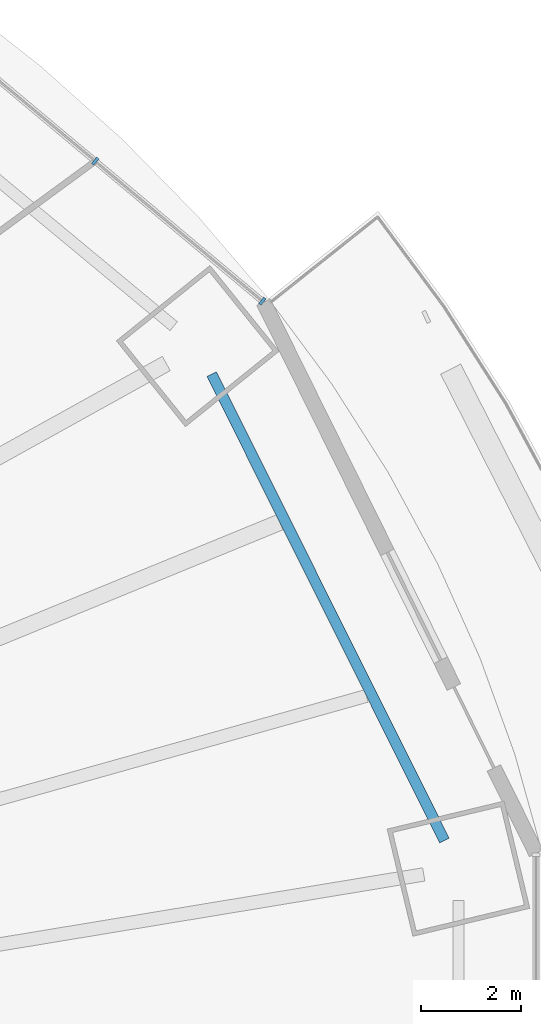
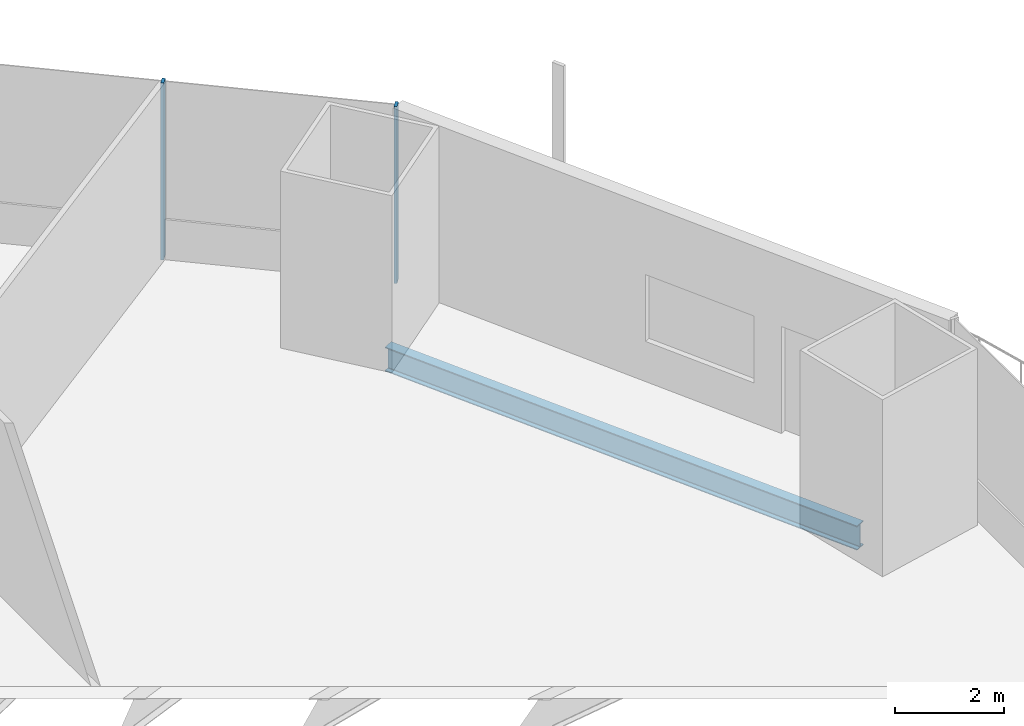
# One storey, part 12 of 23: 2 members, 1 beam, 1 element without a shape of its own.
"""IFC4 building model written with IfcOpenShell, lengths in metres."""

from ifc_helpers import new_model, si_unit, direction, frame, origin, origin_2d, place, context, subcontext, project, spatial, rectangle, i_section, extrude, material, material_profile, profile_set, type_object, element, aggregate, save


model = new_model("IFC4")

# Units and contexts
model_context = context("Model", 3, precision=1e-05, world=origin(), true_north=direction((0.0, 1.0)))
body_context = subcontext(model_context, "Body", "Model", "MODEL_VIEW")
ifc_project = project(units=[si_unit("LENGTHUNIT", "METRE"), si_unit("AREAUNIT", "SQUARE_METRE"), si_unit("VOLUMEUNIT", "CUBIC_METRE"), si_unit("PLANEANGLEUNIT", "RADIAN"), si_unit("MASSUNIT", "GRAM", prefix="KILO")], contexts=[model_context])

# Site, building, storey
site_placement = place(None, origin())
site = spatial("IfcSite", under=ifc_project, at=site_placement, CompositionType="ELEMENT")
building_placement = place(site_placement, origin())
building = spatial("IfcBuilding", under=site, at=building_placement, Name="Marenthal Gate Tower", CompositionType="ELEMENT")
storey_placement = place(building_placement, frame((0.0, 0.0, 49.60009765625)))
storey = spatial("IfcBuildingStorey", under=building, at=storey_placement, Name="L08", CompositionType="ELEMENT", Elevation=49.60009765625)

# Curtain wall, members
ifc_material_1 = material(Name="Aluminium and glass", Category="aluminium")
curtain_wall_type = type_object("IfcCurtainWallType", Name="Curtain wall typical low", PredefinedType="NOTDEFINED", material=ifc_material_1)
curtain_wall_placement = place(storey_placement, origin())
curtain_wall = element("IfcCurtainWall", 1, at=curtain_wall_placement, inside=storey, type_object=curtain_wall_type, Name="Curtain wall L08 bay 2", PredefinedType="NOTDEFINED")
ifc_material_2 = material(Name="Aluminium", Category="aluminium")
ifc_material_profile_1 = material_profile(ifc_material_2, rectangle(XDim=0.159912109375, YDim=0.06005859375, at=origin_2d()), Name="60x160 aluminium mullion")
ifc_profile_set_1 = profile_set([ifc_material_profile_1], Name="Aluminium")
member_type = type_object("IfcMemberType", Name="Mullion 60x160 typical low", PredefinedType="MULLION", material=ifc_profile_set_1)
member_1_placement = place(storey_placement, frame((30.274169921875, 16.972412109375, 0.0), z_axis=(0.0, 0.0, 1.0), x_axis=(-0.642047277641, -0.766665046336, 0.0)))
member_1 = element("IfcMember", 2, at=member_1_placement, type_object=member_type, Name="Mullion L08 bay 2.1", PredefinedType="MULLION", context=body_context, shape_type="SweptSolid", body=[
    extrude(rectangle(XDim=0.159912109375, YDim=0.06005859375, at=origin_2d()), origin(), (0.0, 0.0, 1.0), 3.969970703125),
])
member_2_placement = place(storey_placement, frame((26.938232421875, 19.76611328125, 0.0), z_axis=(0.0, 0.0, 1.0), x_axis=(-0.642047277641, -0.766665046336, 0.0)))
member_2 = element("IfcMember", 3, at=member_2_placement, type_object=member_type, Name="Mullion L08 bay 2.2", PredefinedType="MULLION", context=body_context, shape_type="SweptSolid", body=[
    extrude(rectangle(XDim=0.159912109375, YDim=0.06005859375, at=origin_2d()), origin(), (0.0, 0.0, 1.0), 3.969970703125),
])
aggregate(curtain_wall, [member_1, member_2])

# Beam
ifc_material_3 = material(Name="Steel S355", Category="steel")
ifc_material_profile_2 = material_profile(ifc_material_3, i_section(OverallWidth=0.2119140625, OverallDepth=0.5439453125, WebThickness=0.01318359375, FlangeThickness=0.021240234375, FilletRadius=0.0126953125, at=origin_2d()), Name="W530X123")
ifc_profile_set_2 = profile_set([ifc_material_profile_2], Name="Steel S355")
beam_type = type_object("IfcBeamType", Name="W530X123 beam", PredefinedType="BEAM", material=ifc_profile_set_2)
beam_placement = place(storey_placement, frame((33.9072265625, 6.207763671875, -0.4521484375), z_axis=(-0.446499954542, 0.894783655748, 0.0), x_axis=(-0.894783655748, -0.446499954542, 0.0)))
element("IfcBeam", 4, at=beam_placement, inside=storey, type_object=beam_type, Name="BM-L08-41", PredefinedType="BEAM", context=body_context, shape_type="SweptSolid", body=[
    extrude(i_section(OverallWidth=0.2119140625, OverallDepth=0.5439453125, WebThickness=0.01318359375, FlangeThickness=0.021240234375, FilletRadius=0.0126953125, at=origin_2d()), origin(), (0.0, 0.0, 1.0), 10.402099609375),
])

save(model, "model.ifc")
